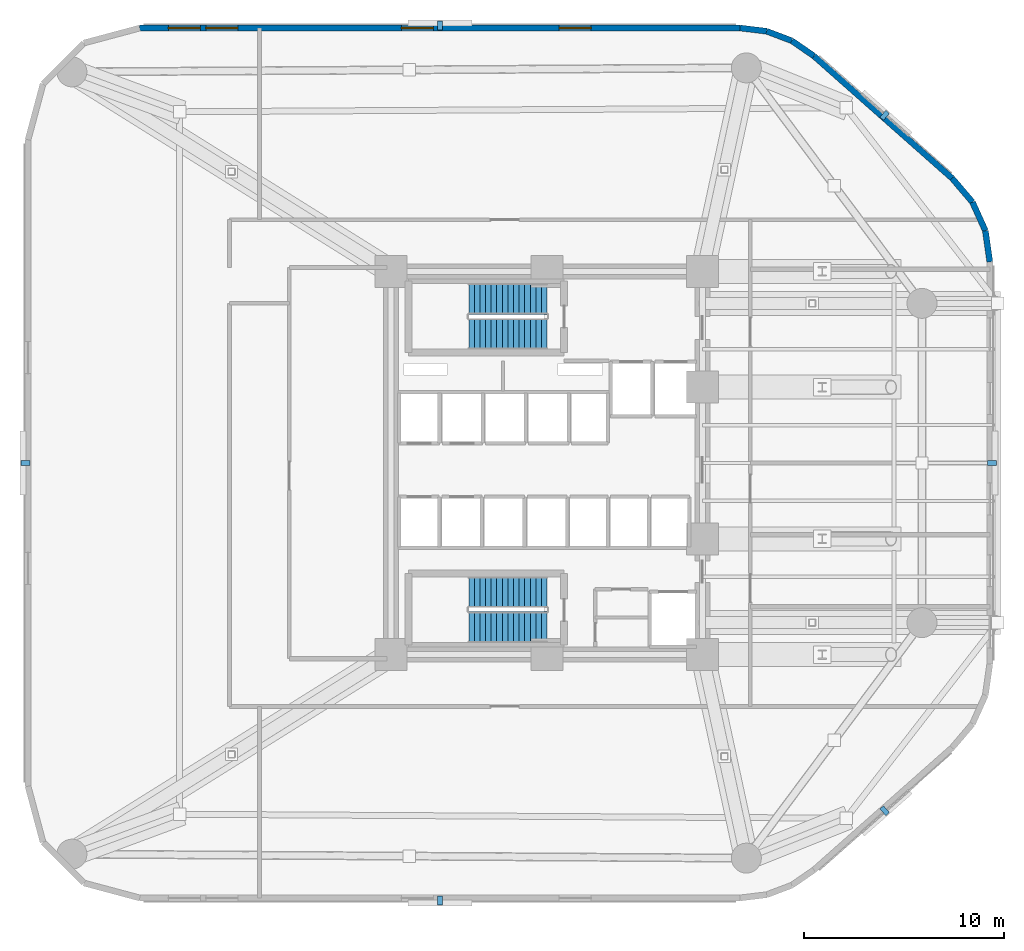
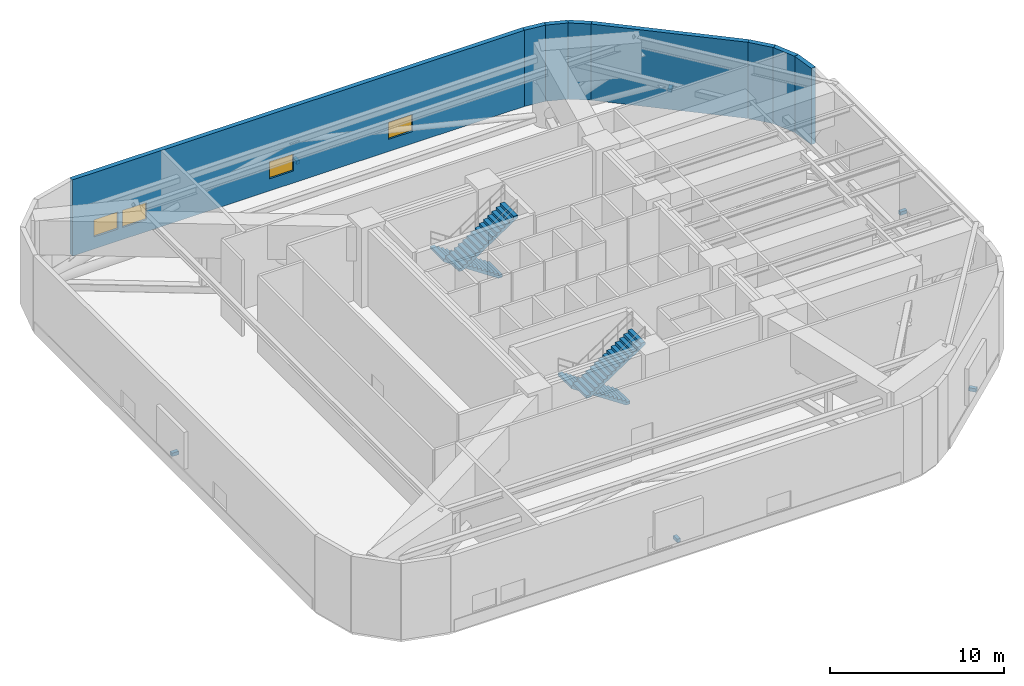
# One storey, part 9 of 11: 8 walls, 6 discrete accessories, 4 stair flights, 4 windows, 4 openings, 2 elements without a shape of their own.
"""IFC4 building model written with IfcOpenShell, lengths in metres."""

from ifc_helpers import new_model, si_unit, direction, frame, frame_2d, origin, origin_2d, place, context, subcontext, project, spatial, polyline, rectangle, outline, extrude, material, layer, layer_set, type_object, element, fill, aggregate, save


model = new_model("IFC4")

# Units and contexts
model_context = context("Model", 3, precision=1e-05, world=origin(), true_north=direction((0.0, 1.0)))
body_context = subcontext(model_context, "Body", "Model", "MODEL_VIEW")
ifc_project = project(units=[si_unit("LENGTHUNIT", "METRE"), si_unit("AREAUNIT", "SQUARE_METRE"), si_unit("VOLUMEUNIT", "CUBIC_METRE"), si_unit("PLANEANGLEUNIT", "RADIAN"), si_unit("MASSUNIT", "GRAM", prefix="KILO")], contexts=[model_context])

# Site, building, storey
site_placement = place(None, origin())
site = spatial("IfcSite", under=ifc_project, at=site_placement, CompositionType="ELEMENT")
building_placement = place(site_placement, origin())
building = spatial("IfcBuilding", under=site, at=building_placement, Name="An Khanh Terracotta Commons", CompositionType="ELEMENT")
storey_placement = place(building_placement, frame((0.0, 0.0, 75.60009765625)))
storey = spatial("IfcBuildingStorey", under=building, at=storey_placement, Name="L20", CompositionType="ELEMENT", Elevation=75.60009765625)

# Walls
ifc_material_1 = material(Name="Precast concrete C40/50", Category="concrete")
ifc_layer = layer(ifc_material_1, 0.300048828125, Name="Precast concrete C40/50")
ifc_layer_set = layer_set([ifc_layer], Name="Precast concrete C40/50")
wall_type = type_object("IfcWallType", Name="WALL-EXT-300", PredefinedType="SOLIDWALL", material=ifc_layer_set)
wall_1_placement = place(storey_placement, frame((51.60009765625, 34.076904296875, 0.0), z_axis=(0.0, 0.0, 1.0), x_axis=(-0.140380048512, 0.990097693149, 0.0)))
element("IfcWall", 1, at=wall_1_placement, inside=storey, type_object=wall_type, Name="L20 Insulated Terracotta Exterior Wall 13", PredefinedType="SOLIDWALL", context=body_context, shape_type="SweptSolid", body=[
    extrude(rectangle(XDim=1.57568359375, YDim=0.300048828125, at=frame_2d((0.787841796875, 0.0))), origin(), (0.0, 0.0, 1.0), 5.35986328125),
])
wall_2_placement = place(storey_placement, frame((51.37890625, 35.636962890625, 0.0), z_axis=(0.0, 0.0, 1.0), x_axis=(-0.410996558744, 0.911636895206, 0.0)))
element("IfcWall", 2, at=wall_2_placement, inside=storey, type_object=wall_type, Name="L20 Insulated Terracotta Exterior Wall 14", PredefinedType="SOLIDWALL", context=body_context, shape_type="SweptSolid", body=[
    extrude(rectangle(XDim=1.57421875, YDim=0.300048828125, at=frame_2d((0.787109375, 0.0))), origin(), (0.0, 0.0, 1.0), 5.35986328125),
])
wall_3_placement = place(storey_placement, frame((50.73193359375, 37.072021484375, 0.0), z_axis=(0.0, 0.0, 1.0), x_axis=(-0.648389989909, 0.7613083613, 0.0)))
element("IfcWall", 3, at=wall_3_placement, inside=storey, type_object=wall_type, Name="L20 Insulated Terracotta Exterior Wall 15", PredefinedType="SOLIDWALL", context=body_context, shape_type="SweptSolid", body=[
    extrude(rectangle(XDim=1.576171875, YDim=0.300048828125, at=frame_2d((0.7880859375, 0.0))), origin(), (0.0, 0.0, 1.0), 5.35986328125),
])
wall_4_placement = place(storey_placement, frame((49.7099609375, 38.27197265625, 0.0), z_axis=(0.0, 0.0, 1.0), x_axis=(-0.749010683286, 0.662557919221, 0.0)))
element("IfcWall", 4, at=wall_4_placement, inside=storey, type_object=wall_type, Name="L20 Insulated Terracotta Exterior Wall 16", PredefinedType="SOLIDWALL", context=body_context, shape_type="SweptSolid", body=[
    extrude(rectangle(XDim=9.239990234375, YDim=0.300048828125, at=frame_2d((4.6201171875, 0.0))), origin(), (0.0, 0.0, 1.0), 5.35986328125),
])
wall_5_placement = place(storey_placement, frame((42.7890625, 44.39404296875, 0.0), z_axis=(0.0, 0.0, 1.0), x_axis=(-0.823116500192, 0.567872544777, 0.0)))
element("IfcWall", 5, at=wall_5_placement, inside=storey, type_object=wall_type, Name="L20 Insulated Terracotta Exterior Wall 17", PredefinedType="SOLIDWALL", context=body_context, shape_type="SweptSolid", body=[
    extrude(rectangle(XDim=1.3486328125, YDim=0.300048828125, at=frame_2d((0.67431640625, 0.0))), origin(), (0.0, 0.0, 1.0), 5.35986328125),
])
wall_6_placement = place(storey_placement, frame((41.678955078125, 45.159912109375, 0.0), z_axis=(0.0, 0.0, 1.0), x_axis=(-0.935156721165, 0.354234254216, 0.0)))
element("IfcWall", 6, at=wall_6_placement, inside=storey, type_object=wall_type, Name="L20 Insulated Terracotta Exterior Wall 18", PredefinedType="SOLIDWALL", context=body_context, shape_type="SweptSolid", body=[
    extrude(rectangle(XDim=1.349365234375, YDim=0.300048828125, at=frame_2d((0.6748046875, 0.0))), origin(), (0.0, 0.0, 1.0), 5.35986328125),
])
wall_7_placement = place(storey_placement, frame((40.4169921875, 45.637939453125, 0.0), z_axis=(0.0, 0.0, 1.0), x_axis=(-0.992739027259, 0.120288086515, 0.0)))
element("IfcWall", 7, at=wall_7_placement, inside=storey, type_object=wall_type, Name="L20 Insulated Terracotta Exterior Wall 19", PredefinedType="SOLIDWALL", context=body_context, shape_type="SweptSolid", body=[
    extrude(rectangle(XDim=1.34765625, YDim=0.300048828125, at=frame_2d((0.673828125, 0.0))), origin(), (0.0, 0.0, 1.0), 5.35986328125),
])

# Wall, openings, windows
wall_8_placement = place(storey_placement, frame((39.0791015625, 45.800048828125, 0.0), z_axis=(0.0, 0.0, 1.0), x_axis=(-1.0, 0.0, 0.0)))
wall_8 = element("IfcWall", 8, at=wall_8_placement, inside=storey, type_object=wall_type, Name="L20 Insulated Terracotta Exterior Wall 20", PredefinedType="SOLIDWALL", context=body_context, shape_type="SweptSolid", body=[
    extrude(rectangle(XDim=30.0791015625, YDim=0.300048828125, at=frame_2d((15.03955078125, 0.0))), origin(), (0.0, 0.0, 1.0), 5.35986328125),
])
opening_1_placement = place(wall_8_placement, frame((7.4599609375, 0.0, 0.85009765625)))
opening_1 = element("IfcOpeningElement", 9, at=opening_1_placement, cuts=wall_8, Name="Opening W-12", PredefinedType="OPENING", context=body_context, shape_type="SweptSolid", body=[
    extrude(rectangle(XDim=1.60009765625, YDim=1.199951171875, at=frame_2d((0.800048828125, 0.60009765625))), frame((0.0, 0.159912109375, 0.0), z_axis=(0.0, -1.0, 0.0), x_axis=(1.0, 0.0, 0.0)), (0.0, 0.0, 1.0), 0.320068359375),
])
opening_2_placement = place(wall_8_placement, frame((15.368896484375, 0.0, 0.85009765625)))
opening_2 = element("IfcOpeningElement", 10, at=opening_2_placement, cuts=wall_8, Name="Opening W-12", PredefinedType="OPENING", context=body_context, shape_type="SweptSolid", body=[
    extrude(rectangle(XDim=1.60009765625, YDim=1.199951171875, at=frame_2d((0.800048828125, 0.60009765625))), frame((0.0, 0.159912109375, 0.0), z_axis=(0.0, -1.0, 0.0), x_axis=(1.0, 0.0, 0.0)), (0.0, 0.0, 1.0), 0.320068359375),
])
opening_3_placement = place(wall_8_placement, frame((25.162109375, 0.0, 0.85009765625)))
opening_3 = element("IfcOpeningElement", 11, at=opening_3_placement, cuts=wall_8, Name="Opening W-12", PredefinedType="OPENING", context=body_context, shape_type="SweptSolid", body=[
    extrude(rectangle(XDim=1.60009765625, YDim=1.199951171875, at=frame_2d((0.800048828125, 0.60009765625))), frame((0.0, 0.159912109375, 0.0), z_axis=(0.0, -1.0, 0.0), x_axis=(1.0, 0.0, 0.0)), (0.0, 0.0, 1.0), 0.320068359375),
])
opening_4_placement = place(wall_8_placement, frame((27.0458984375, 0.0, 0.85009765625)))
opening_4 = element("IfcOpeningElement", 12, at=opening_4_placement, cuts=wall_8, Name="Opening W-12", PredefinedType="OPENING", context=body_context, shape_type="SweptSolid", body=[
    extrude(rectangle(XDim=1.60009765625, YDim=1.199951171875, at=frame_2d((0.800048828125, 0.60009765625))), frame((0.0, 0.159912109375, 0.0), z_axis=(0.0, -1.0, 0.0), x_axis=(1.0, 0.0, 0.0)), (0.0, 0.0, 1.0), 0.320068359375),
])
ifc_material_2 = material(Name="Thermally Broken Aluminium and Low-E Glass", Category="aluminium")
window_type = type_object("IfcWindowType", Name="WIN-REF-1600x1200", PartitioningType="DOUBLE_PANEL_VERTICAL", PredefinedType="WINDOW", material=ifc_material_2)
window_1_placement = place(opening_1_placement, origin())
window_1 = element("IfcWindow", 13, at=window_1_placement, inside=storey, type_object=window_type, Name="L20 Operable Casement Window 20.1", OverallHeight=1.199951171875, OverallWidth=1.60009765625, PartitioningType="DOUBLE_PANEL_VERTICAL", PredefinedType="WINDOW", context=body_context, shape_type="SweptSolid", body=[
    extrude(rectangle(XDim=1.60009765625, YDim=1.199951171875, at=frame_2d((0.800048828125, 0.60009765625))), frame((0.0, 0.030029296875, 0.0), z_axis=(0.0, -1.0, 0.0), x_axis=(1.0, 0.0, 0.0)), (0.0, 0.0, 1.0), 0.06005859375),
])
fill(opening_1, window_1)
window_2_placement = place(opening_2_placement, origin())
window_2 = element("IfcWindow", 14, at=window_2_placement, inside=storey, type_object=window_type, Name="L20 Operable Casement Window 20.2", OverallHeight=1.199951171875, OverallWidth=1.60009765625, PartitioningType="DOUBLE_PANEL_VERTICAL", PredefinedType="WINDOW", context=body_context, shape_type="SweptSolid", body=[
    extrude(rectangle(XDim=1.60009765625, YDim=1.199951171875, at=frame_2d((0.800048828125, 0.60009765625))), frame((0.0, 0.030029296875, 0.0), z_axis=(0.0, -1.0, 0.0), x_axis=(1.0, 0.0, 0.0)), (0.0, 0.0, 1.0), 0.06005859375),
])
fill(opening_2, window_2)
window_3_placement = place(opening_3_placement, origin())
window_3 = element("IfcWindow", 15, at=window_3_placement, inside=storey, type_object=window_type, Name="L20 Operable Casement Window 20.3", OverallHeight=1.199951171875, OverallWidth=1.60009765625, PartitioningType="DOUBLE_PANEL_VERTICAL", PredefinedType="WINDOW", context=body_context, shape_type="SweptSolid", body=[
    extrude(rectangle(XDim=1.60009765625, YDim=1.199951171875, at=frame_2d((0.800048828125, 0.60009765625))), frame((0.0, 0.030029296875, 0.0), z_axis=(0.0, -1.0, 0.0), x_axis=(1.0, 0.0, 0.0)), (0.0, 0.0, 1.0), 0.06005859375),
])
fill(opening_3, window_3)
window_4_placement = place(opening_4_placement, origin())
window_4 = element("IfcWindow", 16, at=window_4_placement, inside=storey, type_object=window_type, Name="L20 Operable Casement Window 20.4", OverallHeight=1.199951171875, OverallWidth=1.60009765625, PartitioningType="DOUBLE_PANEL_VERTICAL", PredefinedType="WINDOW", context=body_context, shape_type="SweptSolid", body=[
    extrude(rectangle(XDim=1.60009765625, YDim=1.199951171875, at=frame_2d((0.800048828125, 0.60009765625))), frame((0.0, 0.030029296875, 0.0), z_axis=(0.0, -1.0, 0.0), x_axis=(1.0, 0.0, 0.0)), (0.0, 0.0, 1.0), 0.06005859375),
])
fill(opening_4, window_4)

# Stair, stair flights
stair_type = type_object("IfcStairType", Name="STAIR-CORE-1550", PredefinedType="HALF_TURN_STAIR", material=ifc_material_1)
stair_1_placement = place(storey_placement, origin())
stair_1 = element("IfcStair", 17, at=stair_1_placement, inside=storey, type_object=stair_type, Name="L20 Core Smokeproof Exit Stair ST-01", PredefinedType="HALF_TURN_STAIR")
stair_flight_type = type_object("IfcStairFlightType", Name="FLIGHT-CORE-1550", PredefinedType="STRAIGHT", material=ifc_material_1)
stair_flight_1_placement = place(storey_placement, frame((29.409912109375, 32.22509765625, 0.0), z_axis=(0.0, 0.0, 1.0), x_axis=(-1.0, 0.0, 0.0)))
stair_flight_1 = element("IfcStairFlight", 18, at=stair_flight_1_placement, type_object=stair_flight_type, Name="ST-01 flight 1", NumberOfRisers=15, NumberOfTreads=14, PredefinedType="STRAIGHT", RiserHeight=0.186666667, TreadLength=0.28, context=body_context, shape_type="SweptSolid", body=[
    extrude(outline(polyline([(0.0, 0.0), (0.0, 0.186767578125), (0.280029296875, 0.186767578125), (0.280029296875, 0.373291015625), (0.56005859375, 0.373291015625), (0.56005859375, 0.56005859375), (0.840087890625, 0.56005859375), (0.840087890625, 0.74658203125), (1.1201171875, 0.74658203125), (1.1201171875, 0.933349609375), (1.39990234375, 0.933349609375), (1.39990234375, 1.1201171875), (1.679931640625, 1.1201171875), (1.679931640625, 1.306640625), (1.9599609375, 1.306640625), (1.9599609375, 1.493408203125), (2.239990234375, 1.493408203125), (2.239990234375, 1.679931640625), (2.52001953125, 1.679931640625), (2.52001953125, 1.86669921875), (2.800048828125, 1.86669921875), (2.800048828125, 2.05322265625), (3.080078125, 2.05322265625), (3.080078125, 2.239990234375), (3.360107421875, 2.239990234375), (3.360107421875, 2.4267578125), (3.639892578125, 2.4267578125), (3.639892578125, 2.61328125), (3.919921875, 2.61328125), (3.919921875, 2.800048828125), (3.919921875, 2.43310546875), (0.270263671875, 0.0), (0.0, 0.0)])), frame((0.0, 0.77490234375, 0.0), z_axis=(0.0, -1.0, 0.0), x_axis=(1.0, 0.0, 0.0)), (0.0, 0.0, 1.0), 1.550048828125),
])
stair_flight_2_placement = place(storey_placement, frame((25.489990234375, 30.47509765625, 2.7998046875), z_axis=(0.0, 0.0, 1.0), x_axis=(1.0, 0.0, 0.0)))
stair_flight_2 = element("IfcStairFlight", 19, at=stair_flight_2_placement, type_object=stair_flight_type, Name="ST-01 flight 2", NumberOfRisers=15, NumberOfTreads=14, PredefinedType="STRAIGHT", RiserHeight=0.186666667, TreadLength=0.28, context=body_context, shape_type="SweptSolid", body=[
    extrude(outline(polyline([(0.0, 0.0), (0.0, 0.186767578125), (0.280029296875, 0.186767578125), (0.280029296875, 0.373291015625), (0.56005859375, 0.373291015625), (0.56005859375, 0.56005859375), (0.840087890625, 0.56005859375), (0.840087890625, 0.74658203125), (1.1201171875, 0.74658203125), (1.1201171875, 0.933349609375), (1.39990234375, 0.933349609375), (1.39990234375, 1.1201171875), (1.679931640625, 1.1201171875), (1.679931640625, 1.306640625), (1.9599609375, 1.306640625), (1.9599609375, 1.493408203125), (2.239990234375, 1.493408203125), (2.239990234375, 1.679931640625), (2.52001953125, 1.679931640625), (2.52001953125, 1.86669921875), (2.800048828125, 1.86669921875), (2.800048828125, 2.05322265625), (3.080078125, 2.05322265625), (3.080078125, 2.239990234375), (3.360107421875, 2.239990234375), (3.360107421875, 2.4267578125), (3.639892578125, 2.4267578125), (3.639892578125, 2.61328125), (3.919921875, 2.61328125), (3.919921875, 2.800048828125), (3.919921875, 2.43310546875), (0.270263671875, 0.0), (0.0, 0.0)])), frame((0.0, 0.77490234375, 0.0), z_axis=(0.0, -1.0, 0.0), x_axis=(1.0, 0.0, 0.0)), (0.0, 0.0, 1.0), 1.550048828125),
])
aggregate(stair_1, [stair_flight_1, stair_flight_2])

stair_2_placement = place(storey_placement, origin())
stair_2 = element("IfcStair", 20, at=stair_2_placement, inside=storey, type_object=stair_type, Name="L20 Core Smokeproof Exit Stair ST-02", PredefinedType="HALF_TURN_STAIR")
stair_flight_3_placement = place(storey_placement, frame((29.409912109375, 17.52490234375, 0.0), z_axis=(0.0, 0.0, 1.0), x_axis=(-1.0, 0.0, 0.0)))
stair_flight_3 = element("IfcStairFlight", 21, at=stair_flight_3_placement, type_object=stair_flight_type, Name="ST-02 flight 1", NumberOfRisers=15, NumberOfTreads=14, PredefinedType="STRAIGHT", RiserHeight=0.186666667, TreadLength=0.28, context=body_context, shape_type="SweptSolid", body=[
    extrude(outline(polyline([(0.0, 0.0), (0.0, 0.186767578125), (0.280029296875, 0.186767578125), (0.280029296875, 0.373291015625), (0.56005859375, 0.373291015625), (0.56005859375, 0.56005859375), (0.840087890625, 0.56005859375), (0.840087890625, 0.74658203125), (1.1201171875, 0.74658203125), (1.1201171875, 0.933349609375), (1.39990234375, 0.933349609375), (1.39990234375, 1.1201171875), (1.679931640625, 1.1201171875), (1.679931640625, 1.306640625), (1.9599609375, 1.306640625), (1.9599609375, 1.493408203125), (2.239990234375, 1.493408203125), (2.239990234375, 1.679931640625), (2.52001953125, 1.679931640625), (2.52001953125, 1.86669921875), (2.800048828125, 1.86669921875), (2.800048828125, 2.05322265625), (3.080078125, 2.05322265625), (3.080078125, 2.239990234375), (3.360107421875, 2.239990234375), (3.360107421875, 2.4267578125), (3.639892578125, 2.4267578125), (3.639892578125, 2.61328125), (3.919921875, 2.61328125), (3.919921875, 2.800048828125), (3.919921875, 2.43310546875), (0.270263671875, 0.0), (0.0, 0.0)])), frame((0.0, 0.77490234375, 0.0), z_axis=(0.0, -1.0, 0.0), x_axis=(1.0, 0.0, 0.0)), (0.0, 0.0, 1.0), 1.550048828125),
])
stair_flight_4_placement = place(storey_placement, frame((25.489990234375, 15.77490234375, 2.7998046875), z_axis=(0.0, 0.0, 1.0), x_axis=(1.0, 0.0, 0.0)))
stair_flight_4 = element("IfcStairFlight", 22, at=stair_flight_4_placement, type_object=stair_flight_type, Name="ST-02 flight 2", NumberOfRisers=15, NumberOfTreads=14, PredefinedType="STRAIGHT", RiserHeight=0.186666667, TreadLength=0.28, context=body_context, shape_type="SweptSolid", body=[
    extrude(outline(polyline([(0.0, 0.0), (0.0, 0.186767578125), (0.280029296875, 0.186767578125), (0.280029296875, 0.373291015625), (0.56005859375, 0.373291015625), (0.56005859375, 0.56005859375), (0.840087890625, 0.56005859375), (0.840087890625, 0.74658203125), (1.1201171875, 0.74658203125), (1.1201171875, 0.933349609375), (1.39990234375, 0.933349609375), (1.39990234375, 1.1201171875), (1.679931640625, 1.1201171875), (1.679931640625, 1.306640625), (1.9599609375, 1.306640625), (1.9599609375, 1.493408203125), (2.239990234375, 1.493408203125), (2.239990234375, 1.679931640625), (2.52001953125, 1.679931640625), (2.52001953125, 1.86669921875), (2.800048828125, 1.86669921875), (2.800048828125, 2.05322265625), (3.080078125, 2.05322265625), (3.080078125, 2.239990234375), (3.360107421875, 2.239990234375), (3.360107421875, 2.4267578125), (3.639892578125, 2.4267578125), (3.639892578125, 2.61328125), (3.919921875, 2.61328125), (3.919921875, 2.800048828125), (3.919921875, 2.43310546875), (0.270263671875, 0.0), (0.0, 0.0)])), frame((0.0, 0.77490234375, 0.0), z_axis=(0.0, -1.0, 0.0), x_axis=(1.0, 0.0, 0.0)), (0.0, 0.0, 1.0), 1.550048828125),
])
aggregate(stair_2, [stair_flight_3, stair_flight_4])

# Discrete accessories
ifc_material_3 = material(Name="Stainless Steel Grade 316L", Category="steel")
discrete_accessory_type = type_object("IfcDiscreteAccessoryType", Name="Stainless Outrigger Facade Bracket", PredefinedType="BRACKET", material=ifc_material_3)
for number, where, z_axis, x_axis, name in (
    (23, (24.0400390625, 2.080078125, 1.1796875), (0.0, 0.0, 1.0), (1.0, 0.0, 0.0), "L20 Louvre Bracket 4"),
    (24, (46.3291015625, 6.576904296875, 1.1796875), (0.0, 0.0, 1.0), (0.749019284633, 0.662548195415, 0.0), "L20 Louvre Bracket 8"),
    (25, (51.719970703125, 24.0, 1.1796875), (0.0, 0.0, 1.0), (0.0, 1.0, 0.0), "L20 Louvre Bracket 12"),
    (26, (46.3291015625, 41.423095703125, 1.1796875), (0.0, 0.0, 1.0), (-0.749019284633, 0.662548195415, 0.0), "L20 Louvre Bracket 16"),
    (27, (24.0400390625, 45.919921875, 1.1796875), (0.0, 0.0, 1.0), (-1.0, 0.0, 0.0), "L20 Louvre Bracket 20"),
    (28, (3.280029296875, 24.0, 1.1796875), (0.0, 0.0, 1.0), (0.0, -1.0, 0.0), "L20 Louvre Bracket 24"),
):
    element("IfcDiscreteAccessory", number, at=place(storey_placement, frame(where, z_axis=z_axis, x_axis=x_axis)), inside=storey, type_object=discrete_accessory_type, Name=name, PredefinedType="BRACKET", context=body_context, shape_type="SweptSolid", body=[
        extrude(rectangle(XDim=0.239990234375, YDim=0.449951171875, at=origin_2d()), origin(), (0.0, 0.0, 1.0), 0.239990234375),
    ])

save(model, "model.ifc")
